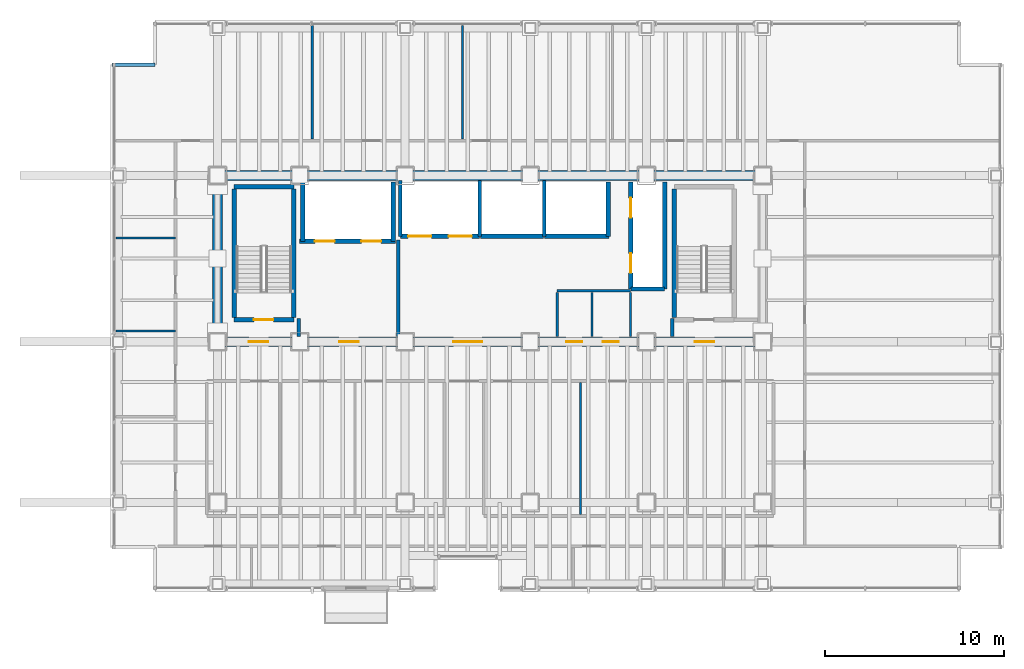
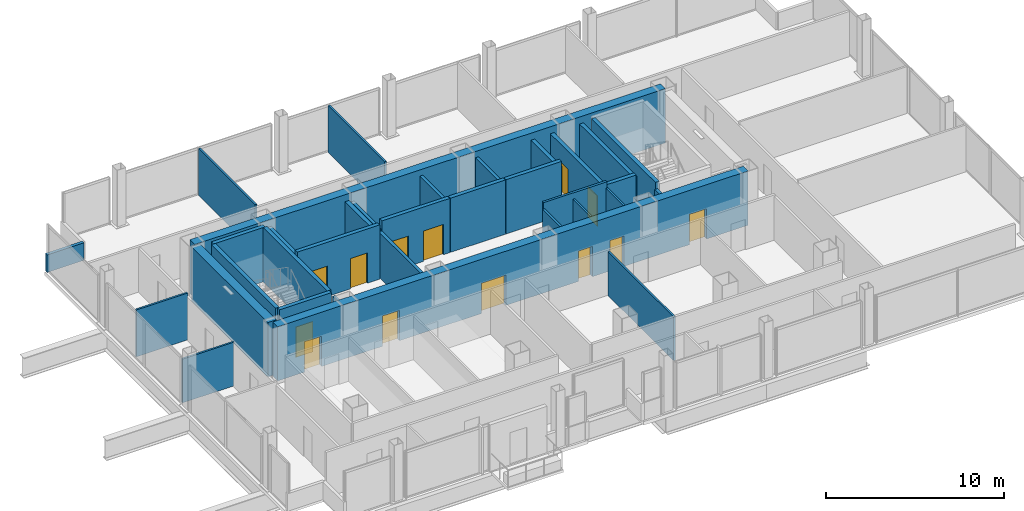
# One storey, part 21 of 23: 34 walls, 13 doors, 13 openings.
"""IFC4 building model written with IfcOpenShell, lengths in metres."""

from ifc_helpers import new_model, si_unit, direction, frame, frame_2d, origin, place, context, subcontext, project, spatial, rectangle, extrude, material, layer, layer_set, type_object, element, fill, save


model = new_model("IFC4")

# Units and contexts
model_context = context("Model", 3, precision=1e-05, world=origin(), true_north=direction((0.0, 1.0)))
body_context = subcontext(model_context, "Body", "Model", "MODEL_VIEW")
ifc_project = project(units=[si_unit("LENGTHUNIT", "METRE"), si_unit("AREAUNIT", "SQUARE_METRE"), si_unit("VOLUMEUNIT", "CUBIC_METRE"), si_unit("PLANEANGLEUNIT", "RADIAN"), si_unit("MASSUNIT", "GRAM", prefix="KILO")], contexts=[model_context])

# Site, building, storey
site_placement = place(None, origin())
site = spatial("IfcSite", under=ifc_project, at=site_placement, CompositionType="ELEMENT")
building_placement = place(site_placement, origin())
building = spatial("IfcBuilding", under=site, at=building_placement, Name="Noeulbin Bourse Tower", CompositionType="ELEMENT")
storey_placement = place(building_placement, frame((0.0, 0.0, 53.800048828125)))
storey = spatial("IfcBuildingStorey", under=building, at=storey_placement, Name="L13", CompositionType="ELEMENT", Elevation=53.800048828125)

# Wall, openings, doors
ifc_material_1 = material(Name="Concrete C60/75", Category="concrete")
ifc_layer_1 = layer(ifc_material_1, 0.550048828125)
ifc_layer_set_1 = layer_set([ifc_layer_1], Name="Concrete C60/75")
wall_type_1 = type_object("IfcWallType", Name="WAL-CORE-550", PredefinedType="SHEAR", material=ifc_layer_set_1)
wall_1_placement = place(storey_placement, frame((13.5, 29.0, 0.0), z_axis=(0.0, 0.0, 1.0), x_axis=(1.0, 0.0, 0.0)))
wall_1 = element("IfcWall", 1, at=wall_1_placement, inside=storey, type_object=wall_type_1, Name="Rear Core South Shear Wall L13", PredefinedType="SHEAR", context=body_context, shape_type="SweptSolid", body=[
    extrude(rectangle(XDim=30.5, YDim=0.550048828125, at=frame_2d((15.25, 0.0))), origin(), (0.0, 0.0, 1.0), 3.719970703125),
])
opening_1_placement = place(wall_1_placement, frame((1.75, 0.0, 0.0)))
opening_1 = element("IfcOpeningElement", 2, at=opening_1_placement, cuts=wall_1, Name="Opening FD-11", PredefinedType="OPENING", context=body_context, shape_type="SweptSolid", body=[
    extrude(rectangle(XDim=1.10009765625, YDim=2.080078125, at=frame_2d((0.550048828125, 1.0400390625))), frame((0.0, 0.284912109375, 0.0), z_axis=(0.0, -1.0, 0.0), x_axis=(1.0, 0.0, 0.0)), (0.0, 0.0, 1.0), 0.570068359375),
])
opening_2_placement = place(wall_1_placement, frame((26.699951171875, 0.0, 0.0)))
opening_2 = element("IfcOpeningElement", 3, at=opening_2_placement, cuts=wall_1, Name="Opening FD-11", PredefinedType="OPENING", context=body_context, shape_type="SweptSolid", body=[
    extrude(rectangle(XDim=1.10009765625, YDim=2.080078125, at=frame_2d((0.550048828125, 1.0400390625))), frame((0.0, 0.284912109375, 0.0), z_axis=(0.0, -1.0, 0.0), x_axis=(1.0, 0.0, 0.0)), (0.0, 0.0, 1.0), 0.570068359375),
])
opening_3_placement = place(wall_1_placement, frame((6.800048828125, 0.0, 0.0)))
opening_3 = element("IfcOpeningElement", 4, at=opening_3_placement, cuts=wall_1, Name="Opening FD-11", PredefinedType="OPENING", context=body_context, shape_type="SweptSolid", body=[
    extrude(rectangle(XDim=1.10009765625, YDim=2.080078125, at=frame_2d((0.550048828125, 1.0400390625))), frame((0.0, 0.284912109375, 0.0), z_axis=(0.0, -1.0, 0.0), x_axis=(1.0, 0.0, 0.0)), (0.0, 0.0, 1.0), 0.570068359375),
])
opening_4_placement = place(wall_1_placement, frame((13.199951171875, 0.0, 0.0)))
opening_4 = element("IfcOpeningElement", 5, at=opening_4_placement, cuts=wall_1, Name="Opening ID-16", PredefinedType="OPENING", context=body_context, shape_type="SweptSolid", body=[
    extrude(rectangle(XDim=1.60009765625, YDim=2.080078125, at=frame_2d((0.800048828125, 1.0400390625))), frame((0.0, 0.284912109375, 0.0), z_axis=(0.0, -1.0, 0.0), x_axis=(1.0, 0.0, 0.0)), (0.0, 0.0, 1.0), 0.570068359375),
])
opening_5_placement = place(wall_1_placement, frame((19.5, 0.0, 0.0)))
opening_5 = element("IfcOpeningElement", 6, at=opening_5_placement, cuts=wall_1, Name="Opening FD-09", PredefinedType="OPENING", context=body_context, shape_type="SweptSolid", body=[
    extrude(rectangle(XDim=0.89990234375, YDim=2.080078125, at=frame_2d((0.449951171875, 1.0400390625))), frame((0.0, 0.284912109375, 0.0), z_axis=(0.0, -1.0, 0.0), x_axis=(1.0, 0.0, 0.0)), (0.0, 0.0, 1.0), 0.570068359375),
])
opening_6_placement = place(wall_1_placement, frame((21.550048828125, 0.0, 0.0)))
opening_6 = element("IfcOpeningElement", 7, at=opening_6_placement, cuts=wall_1, Name="Opening FD-09", PredefinedType="OPENING", context=body_context, shape_type="SweptSolid", body=[
    extrude(rectangle(XDim=0.89990234375, YDim=2.080078125, at=frame_2d((0.449951171875, 1.0400390625))), frame((0.0, 0.284912109375, 0.0), z_axis=(0.0, -1.0, 0.0), x_axis=(1.0, 0.0, 0.0)), (0.0, 0.0, 1.0), 0.570068359375),
])
ifc_material_2 = material(Name="Acoustic Glazed Aluminium", Category="aluminium")
door_type_1 = type_object("IfcDoorType", Name="DR-DBL-1600", OperationType="DOUBLE_DOOR_SINGLE_SWING", PredefinedType="DOOR", material=ifc_material_2)
door_1_placement = place(opening_4_placement, origin())
door_1 = element("IfcDoor", 8, at=door_1_placement, inside=storey, type_object=door_type_1, Name="Passenger Lift Lobby Portal L13", OperationType="DOUBLE_DOOR_SINGLE_SWING", OverallHeight=2.080078125, OverallWidth=1.60009765625, PredefinedType="DOOR", context=body_context, shape_type="SweptSolid", body=[
    extrude(rectangle(XDim=1.60009765625, YDim=2.080078125, at=frame_2d((0.800048828125, 1.0400390625))), frame((0.0, 0.02490234375, 0.0), z_axis=(0.0, -1.0, 0.0), x_axis=(1.0, 0.0, 0.0)), (0.0, 0.0, 1.0), 0.050048828125),
])
fill(opening_4, door_1)
ifc_material_3 = material(Name="Fire-Rated Timber Core", Category="wood")
door_type_2 = type_object("IfcDoorType", Name="DR-FD30-900", OperationType="SINGLE_SWING_RIGHT", PredefinedType="DOOR", material=ifc_material_3)
door_2_placement = place(opening_5_placement, origin())
door_2 = element("IfcDoor", 9, at=door_2_placement, inside=storey, type_object=door_type_2, Name="Interior Door L13-05", OperationType="SINGLE_SWING_RIGHT", OverallHeight=2.080078125, OverallWidth=0.89990234375, PredefinedType="DOOR", context=body_context, shape_type="SweptSolid", body=[
    extrude(rectangle(XDim=0.89990234375, YDim=2.080078125, at=frame_2d((0.449951171875, 1.0400390625))), frame((0.0, 0.02490234375, 0.0), z_axis=(0.0, -1.0, 0.0), x_axis=(1.0, 0.0, 0.0)), (0.0, 0.0, 1.0), 0.050048828125),
])
fill(opening_5, door_2)
door_3_placement = place(opening_6_placement, origin())
door_3 = element("IfcDoor", 10, at=door_3_placement, inside=storey, type_object=door_type_2, Name="Interior Door L13-06", OperationType="SINGLE_SWING_LEFT", OverallHeight=2.080078125, OverallWidth=0.89990234375, PredefinedType="DOOR", context=body_context, shape_type="SweptSolid", body=[
    extrude(rectangle(XDim=0.89990234375, YDim=2.080078125, at=frame_2d((0.449951171875, 1.0400390625))), frame((0.0, 0.02490234375, 0.0), z_axis=(0.0, -1.0, 0.0), x_axis=(1.0, 0.0, 0.0)), (0.0, 0.0, 1.0), 0.050048828125),
])
fill(opening_6, door_3)
ifc_material_4 = material(Name="Fire-Rated Insulated Steel", Category="steel")
door_type_3 = type_object("IfcDoorType", Name="DR-FD60-1100", OperationType="SINGLE_SWING_LEFT", PredefinedType="DOOR", material=ifc_material_4)
door_4_placement = place(opening_1_placement, origin())
door_4 = element("IfcDoor", 11, at=door_4_placement, inside=storey, type_object=door_type_3, Name="West Stair Lobby Door L13", OperationType="SINGLE_SWING_RIGHT", OverallHeight=2.080078125, OverallWidth=1.10009765625, PredefinedType="DOOR", context=body_context, shape_type="SweptSolid", body=[
    extrude(rectangle(XDim=1.10009765625, YDim=2.080078125, at=frame_2d((0.550048828125, 1.0400390625))), frame((0.0, 0.02490234375, 0.0), z_axis=(0.0, -1.0, 0.0), x_axis=(1.0, 0.0, 0.0)), (0.0, 0.0, 1.0), 0.050048828125),
])
fill(opening_1, door_4)
door_5_placement = place(opening_2_placement, origin())
door_5 = element("IfcDoor", 12, at=door_5_placement, inside=storey, type_object=door_type_3, Name="East Stair Lobby Door L13", OperationType="SINGLE_SWING_LEFT", OverallHeight=2.080078125, OverallWidth=1.10009765625, PredefinedType="DOOR", context=body_context, shape_type="SweptSolid", body=[
    extrude(rectangle(XDim=1.10009765625, YDim=2.080078125, at=frame_2d((0.550048828125, 1.0400390625))), frame((0.0, 0.02490234375, 0.0), z_axis=(0.0, -1.0, 0.0), x_axis=(1.0, 0.0, 0.0)), (0.0, 0.0, 1.0), 0.050048828125),
])
fill(opening_2, door_5)
door_6_placement = place(opening_3_placement, origin())
door_6 = element("IfcDoor", 13, at=door_6_placement, inside=storey, type_object=door_type_3, Name="Firefighting Lobby Door L13", OperationType="SINGLE_SWING_RIGHT", OverallHeight=2.080078125, OverallWidth=1.10009765625, PredefinedType="DOOR", context=body_context, shape_type="SweptSolid", body=[
    extrude(rectangle(XDim=1.10009765625, YDim=2.080078125, at=frame_2d((0.550048828125, 1.0400390625))), frame((0.0, 0.02490234375, 0.0), z_axis=(0.0, -1.0, 0.0), x_axis=(1.0, 0.0, 0.0)), (0.0, 0.0, 1.0), 0.050048828125),
])
fill(opening_3, door_6)

# Walls
wall_2_placement = place(storey_placement, frame((13.5, 38.300048828125, 0.0), z_axis=(0.0, 0.0, 1.0), x_axis=(1.0, 0.0, 0.0)))
element("IfcWall", 14, at=wall_2_placement, inside=storey, type_object=wall_type_1, Name="Rear Core North Shear Wall L13", PredefinedType="SHEAR", context=body_context, shape_type="SweptSolid", body=[
    extrude(rectangle(XDim=30.5, YDim=0.550048828125, at=frame_2d((15.25, 0.0))), origin(), (0.0, 0.0, 1.0), 3.719970703125),
])
wall_3_placement = place(storey_placement, frame((13.5, 29.35009765625, 0.0), z_axis=(0.0, 0.0, 1.0), x_axis=(0.0, 1.0, 0.0)))
element("IfcWall", 15, at=wall_3_placement, inside=storey, type_object=wall_type_1, Name="Rear Core West Shear Wall L13", PredefinedType="SHEAR", context=body_context, shape_type="SweptSolid", body=[
    extrude(rectangle(XDim=8.599853515625, YDim=0.550048828125, at=frame_2d((4.2998046875, 0.0))), origin(), (0.0, 0.0, 1.0), 3.719970703125),
])
ifc_material_5 = material(Name="Concrete C40/50", Category="concrete")
ifc_layer_2 = layer(ifc_material_5, 0.199951171875)
ifc_layer_set_2 = layer_set([ifc_layer_2], Name="Concrete C40/50")
wall_type_2 = type_object("IfcWallType", Name="WAL-FIRE-200", PredefinedType="STANDARD", material=ifc_layer_set_2)
for number, where, z_axis, x_axis, name in (
    (16, (18.050048828125, 29.284912109375, 0.0), (0.0, 0.0, 1.0), (0.0, 1.0, 0.0), "Interior Partition Wall L13-13"),
    (17, (38.949951171875, 29.284912109375, 0.0), (0.0, 0.0, 1.0), (0.0, 1.0, 0.0), "Interior Partition Wall L13-14"),
):
    element("IfcWall", number, at=place(storey_placement, frame(where, z_axis=z_axis, x_axis=x_axis)), inside=storey, type_object=wall_type_2, Name=name, PredefinedType="STANDARD", context=body_context, shape_type="SweptSolid", body=[
        extrude(rectangle(XDim=1.01513671875, YDim=0.199951171875, at=frame_2d((0.507568359375, 0.0))), origin(), (0.0, 0.0, 1.0), 3.300048828125),
    ])
wall_4_placement = place(storey_placement, frame((23.60009765625, 29.284912109375, 0.0), z_axis=(0.0, 0.0, 1.0), x_axis=(0.0, 1.0, 0.0)))
element("IfcWall", 18, at=wall_4_placement, inside=storey, type_object=wall_type_2, Name="Interior Partition Wall L13-15", PredefinedType="STANDARD", context=body_context, shape_type="SweptSolid", body=[
    extrude(rectangle(XDim=5.4150390625, YDim=0.199951171875, at=frame_2d((2.70751953125, 0.0))), origin(), (0.0, 0.0, 1.0), 3.099853515625),
])
ifc_layer_3 = layer(ifc_material_5, 0.199951171875)
ifc_layer_set_3 = layer_set([ifc_layer_3], Name="Concrete C40/50")
wall_type_3 = type_object("IfcWallType", Name="WAL-PAR-200", PredefinedType="PARAPET", material=ifc_layer_set_3)
wall_5_placement = place(storey_placement, frame((7.60009765625, 44.5, 0.0), z_axis=(0.0, 0.0, 1.0), x_axis=(1.0, 0.0, 0.0)))
element("IfcWall", 19, at=wall_5_placement, inside=storey, type_object=wall_type_3, Name="Corner Notch Parapet L13-NW1", PredefinedType="PARAPET", context=body_context, shape_type="SweptSolid", body=[
    extrude(rectangle(XDim=2.39990234375, YDim=0.199951171875, at=frame_2d((1.199951171875, 0.0))), origin(), (0.0, 0.0, 1.0), 1.199951171875),
])
ifc_material_6 = material(Name="Steel Stud Gypsum Partition", Category="steel")
ifc_layer_4 = layer(ifc_material_6, 0.1201171875)
ifc_layer_set_4 = layer_set([ifc_layer_4], Name="Steel Stud Gypsum Partition")
wall_type_4 = type_object("IfcWallType", Name="WAL-PRT-120", PredefinedType="PARTITIONING", material=ifc_layer_set_4)
wall_6_placement = place(storey_placement, frame((7.81005859375, 29.60009765625, 0.0), z_axis=(0.0, 0.0, 1.0), x_axis=(1.0, 0.0, 0.0)))
element("IfcWall", 20, at=wall_6_placement, inside=storey, type_object=wall_type_4, Name="Interior Partition Wall L13-08", PredefinedType="PARTITIONING", context=body_context, shape_type="SweptSolid", body=[
    extrude(rectangle(XDim=3.33984375, YDim=0.1201171875, at=frame_2d((1.669921875, 0.0))), origin(), (0.0, 0.0, 1.0), 3.0),
])
wall_7_placement = place(storey_placement, frame((7.81005859375, 34.800048828125, 0.0), z_axis=(0.0, 0.0, 1.0), x_axis=(1.0, 0.0, 0.0)))
element("IfcWall", 21, at=wall_7_placement, inside=storey, type_object=wall_type_4, Name="Interior Partition Wall L13-09", PredefinedType="PARTITIONING", context=body_context, shape_type="SweptSolid", body=[
    extrude(rectangle(XDim=3.33984375, YDim=0.1201171875, at=frame_2d((1.669921875, 0.0))), origin(), (0.0, 0.0, 1.0), 3.2119140625),
])
for number, where, z_axis, x_axis, name in (
    (22, (36.60009765625, 29.284912109375, 0.0), (0.0, 0.0, 1.0), (0.0, 1.0, 0.0), "Interior Partition Wall L13-17"),
    (23, (34.449951171875, 29.284912109375, 0.0), (0.0, 0.0, 1.0), (0.0, 1.0, 0.0), "Interior Partition Wall L13-18"),
):
    element("IfcWall", number, at=place(storey_placement, frame(where, z_axis=z_axis, x_axis=x_axis)), inside=storey, type_object=wall_type_4, Name=name, PredefinedType="PARTITIONING", context=body_context, shape_type="SweptSolid", body=[
        extrude(rectangle(XDim=2.47998046875, YDim=0.1201171875, at=frame_2d((1.239990234375, 0.0))), origin(), (0.0, 0.0, 1.0), 3.300048828125),
    ])
wall_8_placement = place(storey_placement, frame((33.800048828125, 19.3349609375, 0.0), z_axis=(0.0, 0.0, 1.0), x_axis=(0.0, 1.0, 0.0)))
element("IfcWall", 24, at=wall_8_placement, inside=storey, type_object=wall_type_4, Name="Interior Partition Wall L13-30", PredefinedType="PARTITIONING", context=body_context, shape_type="SweptSolid", body=[
    extrude(rectangle(XDim=7.380126953125, YDim=0.1201171875, at=frame_2d((3.68994140625, 0.0))), origin(), (0.0, 0.0, 1.0), 3.0),
])
for number, where, z_axis, x_axis, name in (
    (25, (18.800048828125, 40.3349609375, 0.0), (0.0, 0.0, 1.0), (0.0, 1.0, 0.0), "Interior Partition Wall L13-32"),
    (26, (27.199951171875, 40.3349609375, 0.0), (0.0, 0.0, 1.0), (0.0, 1.0, 0.0), "Interior Partition Wall L13-33"),
):
    element("IfcWall", number, at=place(storey_placement, frame(where, z_axis=z_axis, x_axis=x_axis)), inside=storey, type_object=wall_type_4, Name=name, PredefinedType="PARTITIONING", context=body_context, shape_type="SweptSolid", body=[
        extrude(rectangle(XDim=6.35498046875, YDim=0.1201171875, at=frame_2d((3.177490234375, 0.0))), origin(), (0.0, 0.0, 1.0), 3.2119140625),
    ])
ifc_material_7 = material(Name="Steel Stud Acoustic Gypsum Board", Category="steel")
ifc_layer_5 = layer(ifc_material_7, 0.14990234375)
ifc_layer_set_5 = layer_set([ifc_layer_5], Name="Steel Stud Acoustic Gypsum Board")
wall_type_5 = type_object("IfcWallType", Name="WAL-PRT-150", PredefinedType="PARTITIONING", material=ifc_layer_set_5)
wall_9_placement = place(storey_placement, frame((32.5, 31.85009765625, 0.0), z_axis=(0.0, 0.0, 1.0), x_axis=(1.0, 0.0, 0.0)))
element("IfcWall", 27, at=wall_9_placement, inside=storey, type_object=wall_type_5, Name="Interior Partition Wall L13-02", PredefinedType="PARTITIONING", context=body_context, shape_type="SweptSolid", body=[
    extrude(rectangle(XDim=4.10009765625, YDim=0.14990234375, at=frame_2d((2.050048828125, 0.0))), origin(), (0.0, 0.0, 1.0), 3.719970703125),
])
wall_10_placement = place(storey_placement, frame((32.5, 29.284912109375, 0.0), z_axis=(0.0, 0.0, 1.0), x_axis=(0.0, 1.0, 0.0)))
element("IfcWall", 28, at=wall_10_placement, inside=storey, type_object=wall_type_5, Name="Interior Partition Wall L13-16", PredefinedType="PARTITIONING", context=body_context, shape_type="SweptSolid", body=[
    extrude(rectangle(XDim=2.47998046875, YDim=0.14990234375, at=frame_2d((1.239990234375, 0.0))), origin(), (0.0, 0.0, 1.0), 3.300048828125),
])

# Wall, opening, door
ifc_layer_6 = layer(ifc_material_5, 0.25)
ifc_layer_set_6 = layer_set([ifc_layer_6], Name="Concrete C40/50")
wall_type_6 = type_object("IfcWallType", Name="WAL-SHFT-250", PredefinedType="STANDARD", material=ifc_layer_set_6)
wall_11_placement = place(storey_placement, frame((14.429931640625, 30.235107421875, 0.0), z_axis=(0.0, 0.0, 1.0), x_axis=(1.0, 0.0, 0.0)))
wall_11 = element("IfcWall", 29, at=wall_11_placement, inside=storey, type_object=wall_type_6, Name="Stair ST-1 South Shaft Wall L13", PredefinedType="STANDARD", context=body_context, shape_type="SweptSolid", body=[
    extrude(rectangle(XDim=3.340087890625, YDim=0.25, at=frame_2d((1.669921875, 0.0))), origin(), (0.0, 0.0, 1.0), 3.719970703125),
])
opening_7_placement = place(wall_11_placement, frame((1.10009765625, 0.0, 0.0)))
opening_7 = element("IfcOpeningElement", 30, at=opening_7_placement, cuts=wall_11, Name="Opening FD-11", PredefinedType="OPENING", context=body_context, shape_type="SweptSolid", body=[
    extrude(rectangle(XDim=1.10009765625, YDim=2.080078125, at=frame_2d((0.550048828125, 1.0400390625))), frame((0.0, 0.135009765625, 0.0), z_axis=(0.0, -1.0, 0.0), x_axis=(1.0, 0.0, 0.0)), (0.0, 0.0, 1.0), 0.27001953125),
])
door_7_placement = place(opening_7_placement, origin())
door_7 = element("IfcDoor", 31, at=door_7_placement, inside=storey, type_object=door_type_3, Name="Protected Stair Entry Door ST1-L13", OperationType="SINGLE_SWING_RIGHT", OverallHeight=2.080078125, OverallWidth=1.10009765625, PredefinedType="DOOR", context=body_context, shape_type="SweptSolid", body=[
    extrude(rectangle(XDim=1.10009765625, YDim=2.080078125, at=frame_2d((0.550048828125, 1.0400390625))), frame((0.0, 0.02490234375, 0.0), z_axis=(0.0, -1.0, 0.0), x_axis=(1.0, 0.0, 0.0)), (0.0, 0.0, 1.0), 0.050048828125),
])
fill(opening_7, door_7)

# Walls
wall_12_placement = place(storey_placement, frame((14.429931640625, 37.6689453125, 0.0), z_axis=(0.0, 0.0, 1.0), x_axis=(1.0, 0.0, 0.0)))
element("IfcWall", 32, at=wall_12_placement, inside=storey, type_object=wall_type_6, Name="Stair ST-1 North Shaft Wall L13", PredefinedType="STANDARD", context=body_context, shape_type="SweptSolid", body=[
    extrude(rectangle(XDim=3.340087890625, YDim=0.25, at=frame_2d((1.669921875, 0.0))), origin(), (0.0, 0.0, 1.0), 3.719970703125),
])
for number, where, z_axis, x_axis, name in (
    (33, (14.425048828125, 30.360107421875, 0.0), (0.0, 0.0, 1.0), (0.0, 1.0, 0.0), "Stair ST-1 West Shaft Wall L13"),
    (34, (17.77490234375, 30.360107421875, 0.0), (0.0, 0.0, 1.0), (0.0, 1.0, 0.0), "Stair ST-1 East Shaft Wall L13"),
    (35, (39.054931640625, 30.360107421875, 0.0), (0.0, 0.0, 1.0), (0.0, 1.0, 0.0), "Stair ST-2 West Shaft Wall L13"),
):
    element("IfcWall", number, at=place(storey_placement, frame(where, z_axis=z_axis, x_axis=x_axis)), inside=storey, type_object=wall_type_6, Name=name, PredefinedType="STANDARD", context=body_context, shape_type="SweptSolid", body=[
        extrude(rectangle(XDim=7.183837890625, YDim=0.25, at=frame_2d((3.591796875, 0.0))), origin(), (0.0, 0.0, 1.0), 3.719970703125),
    ])

# Wall, openings, doors
wall_13_placement = place(storey_placement, frame((18.10009765625, 34.6201171875, 0.0), z_axis=(0.0, 0.0, 1.0), x_axis=(1.0, 0.0, 0.0)))
wall_13 = element("IfcWall", 36, at=wall_13_placement, inside=storey, type_object=wall_type_6, Name="Firefighting Lift Shaft Front L13", PredefinedType="STANDARD", context=body_context, shape_type="SweptSolid", body=[
    extrude(rectangle(XDim=5.349853515625, YDim=0.25, at=frame_2d((2.6748046875, 0.0))), origin(), (0.0, 0.0, 1.0), 3.719970703125),
])
opening_8_placement = place(wall_13_placement, frame((0.85009765625, 0.0, 0.0)))
opening_8 = element("IfcOpeningElement", 37, at=opening_8_placement, cuts=wall_13, Name="Opening LD-11", PredefinedType="OPENING", context=body_context, shape_type="SweptSolid", body=[
    extrude(rectangle(XDim=1.10009765625, YDim=2.080078125, at=frame_2d((0.550048828125, 1.0400390625))), frame((0.0, 0.135009765625, 0.0), z_axis=(0.0, -1.0, 0.0), x_axis=(1.0, 0.0, 0.0)), (0.0, 0.0, 1.0), 0.27001953125),
])
opening_9_placement = place(wall_13_placement, frame((3.449951171875, 0.0, 0.0)))
opening_9 = element("IfcOpeningElement", 38, at=opening_9_placement, cuts=wall_13, Name="Opening LD-11", PredefinedType="OPENING", context=body_context, shape_type="SweptSolid", body=[
    extrude(rectangle(XDim=1.10009765625, YDim=2.080078125, at=frame_2d((0.550048828125, 1.0400390625))), frame((0.0, 0.135009765625, 0.0), z_axis=(0.0, -1.0, 0.0), x_axis=(1.0, 0.0, 0.0)), (0.0, 0.0, 1.0), 0.27001953125),
])
ifc_material_8 = material(Name="Brushed Stainless Steel 316", Category="steel")
door_type_4 = type_object("IfcDoorType", Name="DR-LIFT-1100", OperationType="SLIDING_TO_LEFT", PredefinedType="DOOR", material=ifc_material_8)
door_8_placement = place(opening_8_placement, origin())
door_8 = element("IfcDoor", 39, at=door_8_placement, inside=storey, type_object=door_type_4, Name="Lift Landing Door LD-FL-01-L13", OperationType="SLIDING_TO_LEFT", OverallHeight=2.080078125, OverallWidth=1.10009765625, PredefinedType="DOOR", context=body_context, shape_type="SweptSolid", body=[
    extrude(rectangle(XDim=1.10009765625, YDim=2.080078125, at=frame_2d((0.550048828125, 1.0400390625))), frame((0.0, 0.02490234375, 0.0), z_axis=(0.0, -1.0, 0.0), x_axis=(1.0, 0.0, 0.0)), (0.0, 0.0, 1.0), 0.050048828125),
])
fill(opening_8, door_8)
door_9_placement = place(opening_9_placement, origin())
door_9 = element("IfcDoor", 40, at=door_9_placement, inside=storey, type_object=door_type_4, Name="Lift Landing Door LD-FL-02-L13", OperationType="SLIDING_TO_LEFT", OverallHeight=2.080078125, OverallWidth=1.10009765625, PredefinedType="DOOR", context=body_context, shape_type="SweptSolid", body=[
    extrude(rectangle(XDim=1.10009765625, YDim=2.080078125, at=frame_2d((0.550048828125, 1.0400390625))), frame((0.0, 0.02490234375, 0.0), z_axis=(0.0, -1.0, 0.0), x_axis=(1.0, 0.0, 0.0)), (0.0, 0.0, 1.0), 0.050048828125),
])
fill(opening_9, door_9)

wall_14_placement = place(storey_placement, frame((36.6201171875, 31.949951171875, 0.0), z_axis=(0.0, 0.0, 1.0), x_axis=(0.0, 1.0, 0.0)))
wall_14 = element("IfcWall", 41, at=wall_14_placement, inside=storey, type_object=wall_type_6, Name="Service Lift Shaft Wall L13", PredefinedType="STANDARD", context=body_context, shape_type="SweptSolid", body=[
    extrude(rectangle(XDim=6.0, YDim=0.25, at=frame_2d((3.0, 0.0))), origin(), (0.0, 0.0, 1.0), 3.300048828125),
])
opening_10_placement = place(wall_14_placement, frame((0.89990234375, 0.0, 0.0)))
opening_10 = element("IfcOpeningElement", 42, at=opening_10_placement, cuts=wall_14, Name="Opening LD-11", PredefinedType="OPENING", context=body_context, shape_type="SweptSolid", body=[
    extrude(rectangle(XDim=1.10009765625, YDim=2.080078125, at=frame_2d((0.550048828125, 1.0400390625))), frame((0.0, 0.135009765625, 0.0), z_axis=(0.0, -1.0, 0.0), x_axis=(1.0, 0.0, 0.0)), (0.0, 0.0, 1.0), 0.27001953125),
])
opening_11_placement = place(wall_14_placement, frame((4.0, 0.0, 0.0)))
opening_11 = element("IfcOpeningElement", 43, at=opening_11_placement, cuts=wall_14, Name="Opening LD-11", PredefinedType="OPENING", context=body_context, shape_type="SweptSolid", body=[
    extrude(rectangle(XDim=1.10009765625, YDim=2.080078125, at=frame_2d((0.550048828125, 1.0400390625))), frame((0.0, 0.135009765625, 0.0), z_axis=(0.0, -1.0, 0.0), x_axis=(1.0, 0.0, 0.0)), (0.0, 0.0, 1.0), 0.27001953125),
])
door_10_placement = place(opening_10_placement, origin())
door_10 = element("IfcDoor", 44, at=door_10_placement, inside=storey, type_object=door_type_4, Name="Lift Landing Door LD-EL-01-L13", OperationType="SLIDING_TO_LEFT", OverallHeight=2.080078125, OverallWidth=1.10009765625, PredefinedType="DOOR", context=body_context, shape_type="SweptSolid", body=[
    extrude(rectangle(XDim=1.10009765625, YDim=2.080078125, at=frame_2d((0.550048828125, 1.0400390625))), frame((0.0, 0.02490234375, 0.0), z_axis=(0.0, -1.0, 0.0), x_axis=(1.0, 0.0, 0.0)), (0.0, 0.0, 1.0), 0.050048828125),
])
fill(opening_10, door_10)
door_11_placement = place(opening_11_placement, origin())
door_11 = element("IfcDoor", 45, at=door_11_placement, inside=storey, type_object=door_type_4, Name="Lift Landing Door LD-SV-01-L13", OperationType="SLIDING_TO_LEFT", OverallHeight=2.080078125, OverallWidth=1.10009765625, PredefinedType="DOOR", context=body_context, shape_type="SweptSolid", body=[
    extrude(rectangle(XDim=1.10009765625, YDim=2.080078125, at=frame_2d((0.550048828125, 1.0400390625))), frame((0.0, 0.02490234375, 0.0), z_axis=(0.0, -1.0, 0.0), x_axis=(1.0, 0.0, 0.0)), (0.0, 0.0, 1.0), 0.050048828125),
])
fill(opening_11, door_11)

# Walls
wall_15_placement = place(storey_placement, frame((38.52001953125, 31.949951171875, 0.0), z_axis=(0.0, 0.0, 1.0), x_axis=(0.0, 1.0, 0.0)))
element("IfcWall", 46, at=wall_15_placement, inside=storey, type_object=wall_type_6, Name="Service Lift East Shaft Wall L13", PredefinedType="STANDARD", context=body_context, shape_type="SweptSolid", body=[
    extrude(rectangle(XDim=6.0, YDim=0.25, at=frame_2d((3.0, 0.0))), origin(), (0.0, 0.0, 1.0), 3.300048828125),
])
wall_16_placement = place(storey_placement, frame((36.6201171875, 31.949951171875, 0.0), z_axis=(0.0, 0.0, 1.0), x_axis=(1.0, 0.0, 0.0)))
element("IfcWall", 47, at=wall_16_placement, inside=storey, type_object=wall_type_6, Name="Service Lift South Shaft Wall L13", PredefinedType="STANDARD", context=body_context, shape_type="SweptSolid", body=[
    extrude(rectangle(XDim=1.89990234375, YDim=0.25, at=frame_2d((0.949951171875, 0.0))), origin(), (0.0, 0.0, 1.0), 3.47998046875),
])
for number, where, z_axis, x_axis, name in (
    (48, (18.280029296875, 34.6201171875, 0.0), (0.0, 0.0, 1.0), (0.0, 1.0, 0.0), "Firefighting Lift West Shaft Wall L13"),
    (49, (23.320068359375, 34.6201171875, 0.0), (0.0, 0.0, 1.0), (0.0, 1.0, 0.0), "Firefighting Lift East Shaft Wall L13"),
):
    element("IfcWall", number, at=place(storey_placement, frame(where, z_axis=z_axis, x_axis=x_axis)), inside=storey, type_object=wall_type_6, Name=name, PredefinedType="STANDARD", context=body_context, shape_type="SweptSolid", body=[
        extrude(rectangle(XDim=3.329833984375, YDim=0.25, at=frame_2d((1.6650390625, 0.0))), origin(), (0.0, 0.0, 1.0), 3.300048828125),
    ])
wall_17_placement = place(storey_placement, frame((35.360107421875, 34.89990234375, 0.0), z_axis=(0.0, 0.0, 1.0), x_axis=(0.0, 1.0, 0.0)))
element("IfcWall", 50, at=wall_17_placement, inside=storey, type_object=wall_type_6, Name="High-Rise Lift East Shaft Wall L13", PredefinedType="STANDARD", context=body_context, shape_type="SweptSolid", body=[
    extrude(rectangle(XDim=3.050048828125, YDim=0.25, at=frame_2d((1.52490234375, 0.0))), origin(), (0.0, 0.0, 1.0), 3.300048828125),
])

# Wall, openings, doors
wall_18_placement = place(storey_placement, frame((23.75, 34.89990234375, 0.0), z_axis=(0.0, 0.0, 1.0), x_axis=(1.0, 0.0, 0.0)))
wall_18 = element("IfcWall", 51, at=wall_18_placement, inside=storey, type_object=wall_type_6, Name="Low-Rise Lift Bank Front L13", PredefinedType="STANDARD", context=body_context, shape_type="SweptSolid", body=[
    extrude(rectangle(XDim=4.39990234375, YDim=0.25, at=frame_2d((2.199951171875, 0.0))), origin(), (0.0, 0.0, 1.0), 3.719970703125),
])
opening_12_placement = place(wall_18_placement, frame((0.419921875, 0.0, 0.0)))
opening_12 = element("IfcOpeningElement", 52, at=opening_12_placement, cuts=wall_18, Name="Opening LD-13", PredefinedType="OPENING", context=body_context, shape_type="SweptSolid", body=[
    extrude(rectangle(XDim=1.300048828125, YDim=2.080078125, at=frame_2d((0.64990234375, 1.0400390625))), frame((0.0, 0.135009765625, 0.0), z_axis=(0.0, -1.0, 0.0), x_axis=(1.0, 0.0, 0.0)), (0.0, 0.0, 1.0), 0.27001953125),
])
opening_13_placement = place(wall_18_placement, frame((2.679931640625, 0.0, 0.0)))
opening_13 = element("IfcOpeningElement", 53, at=opening_13_placement, cuts=wall_18, Name="Opening LD-13", PredefinedType="OPENING", context=body_context, shape_type="SweptSolid", body=[
    extrude(rectangle(XDim=1.300048828125, YDim=2.080078125, at=frame_2d((0.64990234375, 1.0400390625))), frame((0.0, 0.135009765625, 0.0), z_axis=(0.0, -1.0, 0.0), x_axis=(1.0, 0.0, 0.0)), (0.0, 0.0, 1.0), 0.27001953125),
])
door_type_5 = type_object("IfcDoorType", Name="DR-LIFT-1300", OperationType="DOUBLE_DOOR_SLIDING", PredefinedType="DOOR", material=ifc_material_8)
door_12_placement = place(opening_12_placement, origin())
door_12 = element("IfcDoor", 54, at=door_12_placement, inside=storey, type_object=door_type_5, Name="Lift Landing Door LD-PL-L1-L13", OperationType="DOUBLE_DOOR_SLIDING", OverallHeight=2.080078125, OverallWidth=1.300048828125, PredefinedType="DOOR", context=body_context, shape_type="SweptSolid", body=[
    extrude(rectangle(XDim=1.300048828125, YDim=2.080078125, at=frame_2d((0.64990234375, 1.0400390625))), frame((0.0, 0.02490234375, 0.0), z_axis=(0.0, -1.0, 0.0), x_axis=(1.0, 0.0, 0.0)), (0.0, 0.0, 1.0), 0.050048828125),
])
fill(opening_12, door_12)
door_13_placement = place(opening_13_placement, origin())
door_13 = element("IfcDoor", 55, at=door_13_placement, inside=storey, type_object=door_type_5, Name="Lift Landing Door LD-PL-L2-L13", OperationType="DOUBLE_DOOR_SLIDING", OverallHeight=2.080078125, OverallWidth=1.300048828125, PredefinedType="DOOR", context=body_context, shape_type="SweptSolid", body=[
    extrude(rectangle(XDim=1.300048828125, YDim=2.080078125, at=frame_2d((0.64990234375, 1.0400390625))), frame((0.0, 0.02490234375, 0.0), z_axis=(0.0, -1.0, 0.0), x_axis=(1.0, 0.0, 0.0)), (0.0, 0.0, 1.0), 0.050048828125),
])
fill(opening_13, door_13)

# Walls
wall_19_placement = place(storey_placement, frame((28.199951171875, 34.89990234375, 0.0), z_axis=(0.0, 0.0, 1.0), x_axis=(1.0, 0.0, 0.0)))
element("IfcWall", 56, at=wall_19_placement, inside=storey, type_object=wall_type_6, Name="Mid-Rise Lift Bank Front L13", PredefinedType="STANDARD", context=body_context, shape_type="SweptSolid", body=[
    extrude(rectangle(XDim=3.550048828125, YDim=0.25, at=frame_2d((1.77490234375, 0.0))), origin(), (0.0, 0.0, 1.0), 3.719970703125),
])
wall_20_placement = place(storey_placement, frame((31.800048828125, 34.89990234375, 0.0), z_axis=(0.0, 0.0, 1.0), x_axis=(1.0, 0.0, 0.0)))
element("IfcWall", 57, at=wall_20_placement, inside=storey, type_object=wall_type_6, Name="High-Rise Lift Bank Front L13", PredefinedType="STANDARD", context=body_context, shape_type="SweptSolid", body=[
    extrude(rectangle(XDim=3.599853515625, YDim=0.25, at=frame_2d((1.7998046875, 0.0))), origin(), (0.0, 0.0, 1.0), 3.719970703125),
])
wall_21_placement = place(storey_placement, frame((23.719970703125, 34.89990234375, 0.0), z_axis=(0.0, 0.0, 1.0), x_axis=(0.0, 1.0, 0.0)))
element("IfcWall", 58, at=wall_21_placement, inside=storey, type_object=wall_type_6, Name="Hoistway Side Shaft Wall L13-PLLW", PredefinedType="STANDARD", context=body_context, shape_type="SweptSolid", body=[
    extrude(rectangle(XDim=3.1201171875, YDim=0.199951171875, at=frame_2d((1.56005859375, 0.0))), origin(), (0.0, 0.0, 1.0), 3.099853515625),
])
for number, where, z_axis, x_axis, name in (
    (59, (28.179931640625, 34.89990234375, 0.0), (0.0, 0.0, 1.0), (0.0, 1.0, 0.0), "Hoistway Side Shaft Wall L13-PLMW"),
    (60, (31.780029296875, 34.89990234375, 0.0), (0.0, 0.0, 1.0), (0.0, 1.0, 0.0), "Hoistway Side Shaft Wall L13-PLHW"),
):
    element("IfcWall", number, at=place(storey_placement, frame(where, z_axis=z_axis, x_axis=x_axis)), inside=storey, type_object=wall_type_6, Name=name, PredefinedType="STANDARD", context=body_context, shape_type="SweptSolid", body=[
        extrude(rectangle(XDim=3.1201171875, YDim=0.199951171875, at=frame_2d((1.56005859375, 0.0))), origin(), (0.0, 0.0, 1.0), 3.300048828125),
    ])

save(model, "model.ifc")
